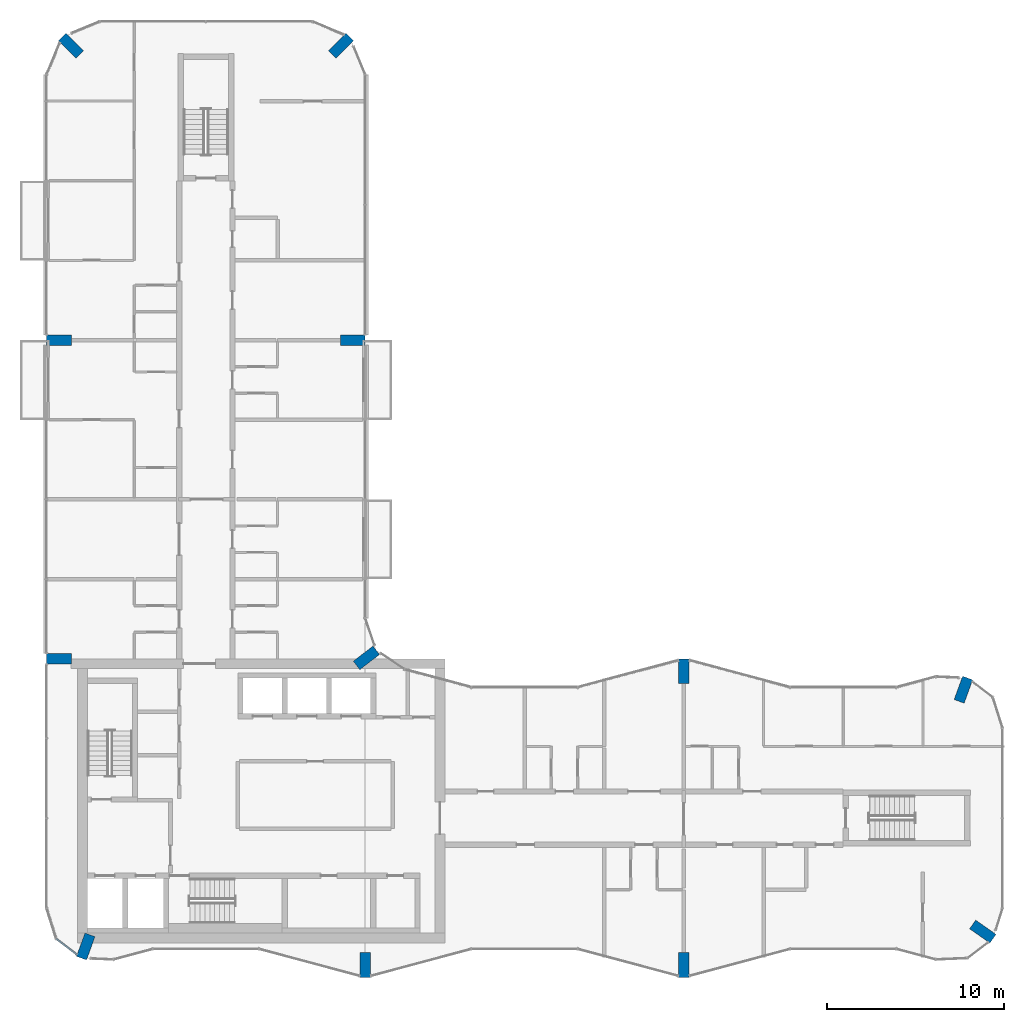
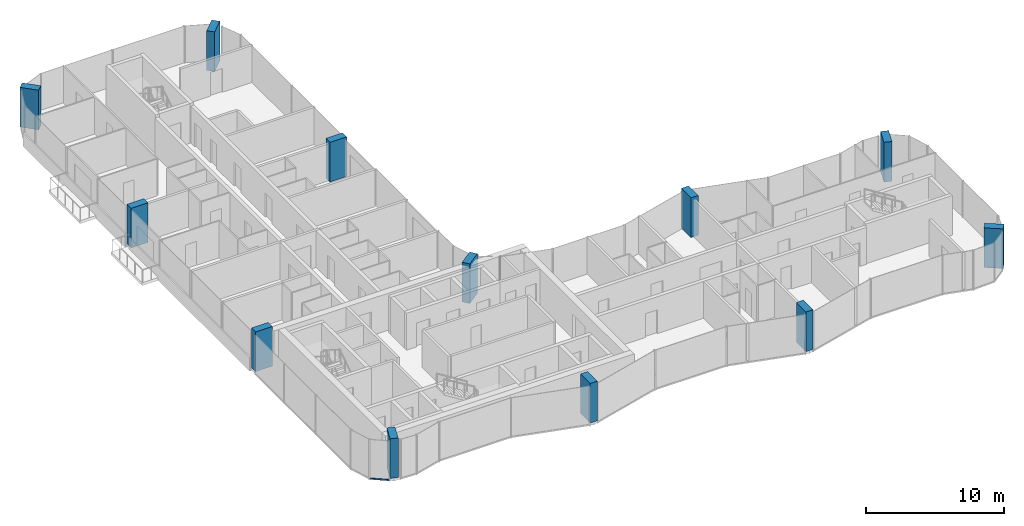
# One storey, part 1 of 15: 12 columns, 1 member, 1 element without a shape of its own.
"""IFC4 building model written with IfcOpenShell, lengths in metres."""

from ifc_helpers import new_model, si_unit, direction, frame, origin, origin_2d, place, context, subcontext, project, spatial, rectangle, extrude, material, layer, layer_set, material_profile, profile_set, type_object, element, aggregate, save


model = new_model("IFC4")

# Units and contexts
model_context = context("Model", 3, precision=1e-05, world=origin(), true_north=direction((0.0, 1.0)))
body_context = subcontext(model_context, "Body", "Model", "MODEL_VIEW")
ifc_project = project(units=[si_unit("LENGTHUNIT", "METRE"), si_unit("AREAUNIT", "SQUARE_METRE"), si_unit("VOLUMEUNIT", "CUBIC_METRE"), si_unit("PLANEANGLEUNIT", "RADIAN"), si_unit("MASSUNIT", "GRAM", prefix="KILO")], contexts=[model_context])

# Site, building, storey
site_placement = place(None, origin())
site = spatial("IfcSite", under=ifc_project, at=site_placement, CompositionType="ELEMENT")
building_placement = place(site_placement, origin())
building = spatial("IfcBuilding", under=site, at=building_placement, Name="Plateau Cross Towers", CompositionType="ELEMENT")
storey_placement = place(building_placement, frame((0.0, 0.0, 177.89990234375)))
storey = spatial("IfcBuildingStorey", under=building, at=storey_placement, Name="L46", CompositionType="ELEMENT", Elevation=177.89990234375)

# Columns
ifc_material_1 = material(Name="Concrete C60/75", Category="concrete")
ifc_material_profile_1 = material_profile(ifc_material_1, rectangle(XDim=0.60009765625, YDim=1.39990234375, at=origin_2d()), Name="RC 600x1400")
ifc_profile_set_1 = profile_set([ifc_material_profile_1], Name="Concrete C60/75")
column_type = type_object("IfcColumnType", Name="Fin pier column RC 600x1400", PredefinedType="COLUMN", material=ifc_profile_set_1)
for number, where, z_axis, x_axis, name in (
    (1, (18.0, 0.699951171875, 0.0), (0.0, 0.0, 1.0), (1.0, 0.0, 0.0), "PR1 L46"),
    (2, (36.0, 0.699951171875, 0.0), (0.0, 0.0, 1.0), (1.0, 0.0, 0.0), "PR2 L46"),
    (3, (52.884033203125, 2.590087890625, 0.0), (0.0, 0.0, 1.0), (0.573542637991, 0.819175709117, 0.0), "PR3 L46"),
    (4, (51.786865234375, 16.251953125, 0.0), (0.0, 0.0, 1.0), (-0.939664280925, 0.342097996418, 0.0), "PR4 L46"),
    (5, (36.0, 17.300048828125, 0.0), (0.0, 0.0, 1.0), (1.0, 0.0, 0.0), "PR5 L46"),
    (6, (18.064697265625, 18.049560546875, 0.0), (0.0, 0.0, 1.0), (-0.608810846443, 0.793315418515, 0.0), "PR6 L46"),
    (7, (17.300048828125, 36.0, 0.0), (0.0, 0.0, 1.0), (0.0, 1.0, 0.0), "PR7 L46"),
    (8, (16.62646484375, 52.62646484375, 0.0), (0.0, 0.0, 1.0), (-0.707106781187, 0.707106781187, 0.0), "PR8 L46"),
    (9, (1.37353515625, 52.62646484375, 0.0), (0.0, 0.0, 1.0), (0.707106781187, 0.707106781187, 0.0), "PR9 L46"),
    (10, (0.699951171875, 36.0, 0.0), (0.0, 0.0, 1.0), (0.0, 1.0, 0.0), "PR10 L46"),
    (11, (0.699951171875, 18.0, 0.0), (0.0, 0.0, 1.0), (0.0, 1.0, 0.0), "PR11 L46"),
    (12, (2.213134765625, 1.748046875, 0.0), (0.0, 0.0, 1.0), (-0.939664280925, 0.342097996418, 0.0), "PR12 L46"),
):
    element("IfcColumn", number, at=place(storey_placement, frame(where, z_axis=z_axis, x_axis=x_axis)), inside=storey, type_object=column_type, Name=name, PredefinedType="COLUMN", context=body_context, shape_type="SweptSolid", body=[
        extrude(rectangle(XDim=0.60009765625, YDim=1.39990234375, at=origin_2d()), origin(), (0.0, 0.0, 1.0), 3.5),
    ])

# Curtain wall, member
ifc_material_2 = material(Name="Dark low-iron glass", Category="glass")
ifc_layer = layer(ifc_material_2, 0.239990234375)
ifc_layer_set = layer_set([ifc_layer], Name="Dark low-iron glass")
curtain_wall_type = type_object("IfcCurtainWallType", Name="Curtain wall flush unitised CW-B", PredefinedType="NOTDEFINED", material=ifc_layer_set)
curtain_wall_placement = place(storey_placement, origin())
curtain_wall = element("IfcCurtainWall", 13, at=curtain_wall_placement, inside=storey, type_object=curtain_wall_type, Name="ENV/A/L46/A5_22", PredefinedType="NOTDEFINED")
ifc_material_3 = material(Name="Black anodised aluminium", Category="aluminium")
ifc_material_profile_2 = material_profile(ifc_material_3, rectangle(XDim=0.10009765625, YDim=0.1201171875, at=origin_2d()), Name="TRANSOM 100x120")
ifc_profile_set_2 = profile_set([ifc_material_profile_2], Name="Black anodised aluminium")
member_type = type_object("IfcMemberType", Name="Transom 100x120 flush unitised", PredefinedType="USERDEFINED", material=ifc_profile_set_2)
member_placement = place(storey_placement, frame((0.54248046875, 2.1884765625, -0.18994140625), z_axis=(0.793320508571, -0.608804213751, 0.0), x_axis=(0.608804213751, 0.793320508571, 0.0)))
member = element("IfcMember", 14, at=member_placement, type_object=member_type, Name="CW-B transom", ObjectType="TRANSOM", PredefinedType="USERDEFINED", context=body_context, shape_type="SweptSolid", body=[
    extrude(rectangle(XDim=0.10009765625, YDim=0.1201171875, at=origin_2d()), origin(), (0.0, 0.0, 1.0), 1.471435546875),
])
aggregate(curtain_wall, [member])

save(model, "model.ifc")
